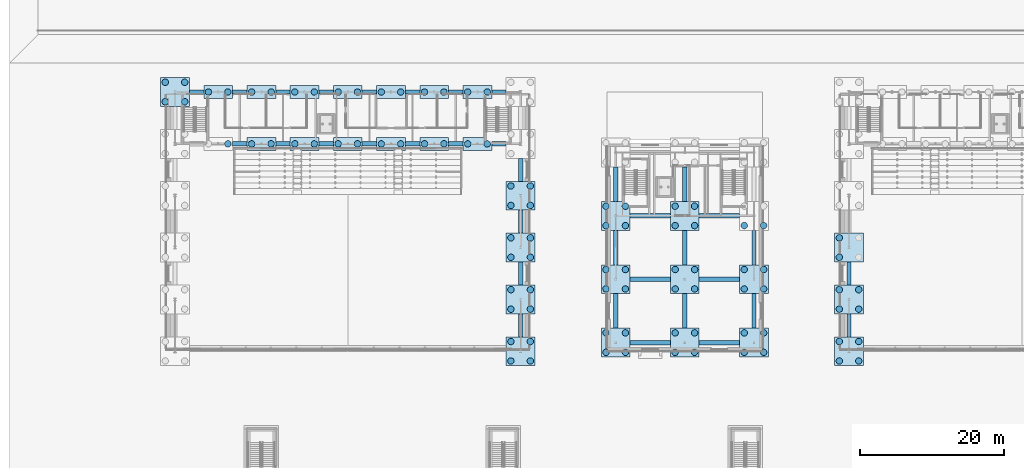
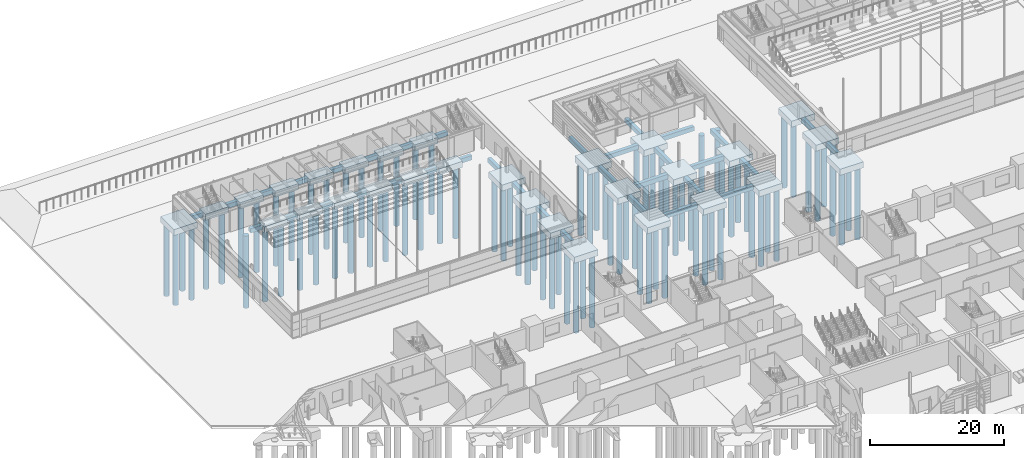
# One storey, part 5 of 139: 91 piles, 64 footings.
"""IFC4 building model written with IfcOpenShell, lengths in metres."""

from ifc_helpers import new_model, si_unit, direction, frame, origin, origin_2d, place, context, subcontext, project, spatial, polyline, rectangle, circle, outline, extrude, material, layer, layer_set, material_profile, profile_set, type_object, element, save


model = new_model("IFC4")

# Units and contexts
model_context = context("Model", 3, precision=1e-05, world=origin(), true_north=direction((0.0, 1.0)))
body_context = subcontext(model_context, "Body", "Model", "MODEL_VIEW")
ifc_project = project(units=[si_unit("LENGTHUNIT", "METRE"), si_unit("AREAUNIT", "SQUARE_METRE"), si_unit("VOLUMEUNIT", "CUBIC_METRE"), si_unit("PLANEANGLEUNIT", "RADIAN"), si_unit("MASSUNIT", "GRAM", prefix="KILO")], contexts=[model_context])

# Site, building, storey
site_placement = place(None, origin())
site = spatial("IfcSite", under=ifc_project, at=site_placement, CompositionType="ELEMENT")
building_placement = place(site_placement, origin())
building = spatial("IfcBuilding", under=site, at=building_placement, Name="Verrick Yard Athletic Hall", CompositionType="ELEMENT")
storey_placement = place(building_placement, origin())
storey = spatial("IfcBuildingStorey", under=building, at=storey_placement, Name="L00", CompositionType="ELEMENT", Elevation=0.0)

# Piles
ifc_material = material(Name="Concrete 35 MPa", Category="concrete")
ifc_material_profile_1 = material_profile(ifc_material, circle(Radius=0.449951171875, at=origin_2d()), Name="Bored pile 900")
ifc_profile_set_1 = profile_set([ifc_material_profile_1], Name="Concrete 35 MPa")
pile_type = type_object("IfcPileType", Name="HB bored pile 900", PredefinedType="BORED", material=ifc_profile_set_1)
for number, where, z_axis, x_axis, name in (
    (1, (120.25, 70.64990234375, -1.5), (0.0, 0.0, -1.0), (1.0, 0.0, 0.0), "HB-PC-HAW1-PL1"),
    (2, (122.949951171875, 70.64990234375, -1.5), (0.0, 0.0, -1.0), (1.0, 0.0, 0.0), "HB-PC-HAW1-PL2"),
    (3, (120.25, 73.35009765625, -1.5), (0.0, 0.0, -1.0), (1.0, 0.0, 0.0), "HB-PC-HAW1-PL3"),
    (4, (122.949951171875, 73.35009765625, -1.5), (0.0, 0.0, -1.0), (1.0, 0.0, 0.0), "HB-PC-HAW1-PL4"),
    (5, (120.25, 77.85009765625, -1.5), (0.0, 0.0, -1.0), (1.0, 0.0, 0.0), "HB-PC-HAW2-PL1"),
    (6, (122.949951171875, 77.85009765625, -1.5), (0.0, 0.0, -1.0), (1.0, 0.0, 0.0), "HB-PC-HAW2-PL2"),
    (7, (120.25, 80.550048828125, -1.5), (0.0, 0.0, -1.0), (1.0, 0.0, 0.0), "HB-PC-HAW2-PL3"),
    (8, (122.949951171875, 80.550048828125, -1.5), (0.0, 0.0, -1.0), (1.0, 0.0, 0.0), "HB-PC-HAW2-PL4"),
    (9, (120.25, 85.050048828125, -1.5), (0.0, 0.0, -1.0), (1.0, 0.0, 0.0), "HB-PC-HAW3-PL1"),
    (10, (120.25, 87.75, -1.5), (0.0, 0.0, -1.0), (1.0, 0.0, 0.0), "HB-PC-HAW3-PL3"),
    (11, (74.64990234375, 70.64990234375, -1.5), (0.0, 0.0, -1.0), (1.0, 0.0, 0.0), "HB-PC-HBE1-PL1"),
    (12, (77.35009765625, 70.64990234375, -1.5), (0.0, 0.0, -1.0), (1.0, 0.0, 0.0), "HB-PC-HBE1-PL2"),
    (13, (74.64990234375, 73.35009765625, -1.5), (0.0, 0.0, -1.0), (1.0, 0.0, 0.0), "HB-PC-HBE1-PL3"),
    (14, (77.35009765625, 73.35009765625, -1.5), (0.0, 0.0, -1.0), (1.0, 0.0, 0.0), "HB-PC-HBE1-PL4"),
    (15, (74.64990234375, 77.85009765625, -1.5), (0.0, 0.0, -1.0), (1.0, 0.0, 0.0), "HB-PC-HBE2-PL1"),
    (16, (77.35009765625, 77.85009765625, -1.5), (0.0, 0.0, -1.0), (1.0, 0.0, 0.0), "HB-PC-HBE2-PL2"),
    (17, (74.64990234375, 80.550048828125, -1.5), (0.0, 0.0, -1.0), (1.0, 0.0, 0.0), "HB-PC-HBE2-PL3"),
    (18, (77.35009765625, 80.550048828125, -1.5), (0.0, 0.0, -1.0), (1.0, 0.0, 0.0), "HB-PC-HBE2-PL4"),
    (19, (74.64990234375, 85.050048828125, -1.5), (0.0, 0.0, -1.0), (1.0, 0.0, 0.0), "HB-PC-HBE3-PL1"),
    (20, (77.35009765625, 85.050048828125, -1.5), (0.0, 0.0, -1.0), (1.0, 0.0, 0.0), "HB-PC-HBE3-PL2"),
    (21, (74.64990234375, 87.75, -1.5), (0.0, 0.0, -1.0), (1.0, 0.0, 0.0), "HB-PC-HBE3-PL3"),
    (22, (77.35009765625, 87.75, -1.5), (0.0, 0.0, -1.0), (1.0, 0.0, 0.0), "HB-PC-HBE3-PL4"),
    (23, (74.64990234375, 92.25, -1.5), (0.0, 0.0, -1.0), (1.0, 0.0, 0.0), "HB-PC-HBE4-PL1"),
    (24, (77.35009765625, 92.25, -1.5), (0.0, 0.0, -1.0), (1.0, 0.0, 0.0), "HB-PC-HBE4-PL2"),
    (25, (74.64990234375, 94.949951171875, -1.5), (0.0, 0.0, -1.0), (1.0, 0.0, 0.0), "HB-PC-HBE4-PL3"),
    (26, (77.35009765625, 94.949951171875, -1.5), (0.0, 0.0, -1.0), (1.0, 0.0, 0.0), "HB-PC-HBE4-PL4"),
    (27, (26.64990234375, 106.64990234375, -1.5), (0.0, 0.0, -1.0), (1.0, 0.0, 0.0), "HB-PC-HBW6-PL1"),
    (28, (29.35009765625, 106.64990234375, -1.5), (0.0, 0.0, -1.0), (1.0, 0.0, 0.0), "HB-PC-HBW6-PL2"),
    (29, (26.64990234375, 109.35009765625, -1.5), (0.0, 0.0, -1.0), (1.0, 0.0, 0.0), "HB-PC-HBW6-PL3"),
    (30, (29.35009765625, 109.35009765625, -1.5), (0.0, 0.0, -1.0), (1.0, 0.0, 0.0), "HB-PC-HBW6-PL4"),
    (31, (35.35009765625, 100.800048828125, -1.5), (0.0, 0.0, -1.0), (1.0, 0.0, 0.0), "HB-PC-B-B1S-PL2"),
    (32, (32.64990234375, 108.0, -1.5), (0.0, 0.0, -1.0), (1.0, 0.0, 0.0), "HB-PC-B-B1N-PL1"),
    (33, (35.35009765625, 108.0, -1.5), (0.0, 0.0, -1.0), (1.0, 0.0, 0.0), "HB-PC-B-B1N-PL2"),
    (34, (38.64990234375, 100.800048828125, -1.5), (0.0, 0.0, -1.0), (1.0, 0.0, 0.0), "HB-PC-B-B2S-PL1"),
    (35, (41.35009765625, 100.800048828125, -1.5), (0.0, 0.0, -1.0), (1.0, 0.0, 0.0), "HB-PC-B-B2S-PL2"),
    (36, (38.64990234375, 108.0, -1.5), (0.0, 0.0, -1.0), (1.0, 0.0, 0.0), "HB-PC-B-B2N-PL1"),
    (37, (41.35009765625, 108.0, -1.5), (0.0, 0.0, -1.0), (1.0, 0.0, 0.0), "HB-PC-B-B2N-PL2"),
    (38, (44.64990234375, 100.800048828125, -1.5), (0.0, 0.0, -1.0), (1.0, 0.0, 0.0), "HB-PC-B-B3S-PL1"),
    (39, (47.35009765625, 100.800048828125, -1.5), (0.0, 0.0, -1.0), (1.0, 0.0, 0.0), "HB-PC-B-B3S-PL2"),
    (40, (44.64990234375, 108.0, -1.5), (0.0, 0.0, -1.0), (1.0, 0.0, 0.0), "HB-PC-B-B3N-PL1"),
    (41, (47.35009765625, 108.0, -1.5), (0.0, 0.0, -1.0), (1.0, 0.0, 0.0), "HB-PC-B-B3N-PL2"),
    (42, (50.64990234375, 100.800048828125, -1.5), (0.0, 0.0, -1.0), (1.0, 0.0, 0.0), "HB-PC-B-B4S-PL1"),
    (43, (53.35009765625, 100.800048828125, -1.5), (0.0, 0.0, -1.0), (1.0, 0.0, 0.0), "HB-PC-B-B4S-PL2"),
    (44, (50.64990234375, 108.0, -1.5), (0.0, 0.0, -1.0), (1.0, 0.0, 0.0), "HB-PC-B-B4N-PL1"),
    (45, (53.35009765625, 108.0, -1.5), (0.0, 0.0, -1.0), (1.0, 0.0, 0.0), "HB-PC-B-B4N-PL2"),
    (46, (56.64990234375, 100.800048828125, -1.5), (0.0, 0.0, -1.0), (1.0, 0.0, 0.0), "HB-PC-B-B5S-PL1"),
    (47, (59.35009765625, 100.800048828125, -1.5), (0.0, 0.0, -1.0), (1.0, 0.0, 0.0), "HB-PC-B-B5S-PL2"),
    (48, (56.64990234375, 108.0, -1.5), (0.0, 0.0, -1.0), (1.0, 0.0, 0.0), "HB-PC-B-B5N-PL1"),
    (49, (59.35009765625, 108.0, -1.5), (0.0, 0.0, -1.0), (1.0, 0.0, 0.0), "HB-PC-B-B5N-PL2"),
    (50, (62.64990234375, 100.800048828125, -1.5), (0.0, 0.0, -1.0), (1.0, 0.0, 0.0), "HB-PC-B-B6S-PL1"),
    (51, (65.35009765625, 100.800048828125, -1.5), (0.0, 0.0, -1.0), (1.0, 0.0, 0.0), "HB-PC-B-B6S-PL2"),
    (52, (62.64990234375, 108.0, -1.5), (0.0, 0.0, -1.0), (1.0, 0.0, 0.0), "HB-PC-B-B6N-PL1"),
    (53, (65.35009765625, 108.0, -1.5), (0.0, 0.0, -1.0), (1.0, 0.0, 0.0), "HB-PC-B-B6N-PL2"),
    (54, (68.64990234375, 100.800048828125, -1.5), (0.0, 0.0, -1.0), (1.0, 0.0, 0.0), "HB-PC-B-B7S-PL1"),
    (55, (71.35009765625, 100.800048828125, -1.5), (0.0, 0.0, -1.0), (1.0, 0.0, 0.0), "HB-PC-B-B7S-PL2"),
    (56, (68.64990234375, 108.0, -1.5), (0.0, 0.0, -1.0), (1.0, 0.0, 0.0), "HB-PC-B-B7N-PL1"),
    (57, (71.35009765625, 108.0, -1.5), (0.0, 0.0, -1.0), (1.0, 0.0, 0.0), "HB-PC-B-B7N-PL2"),
    (58, (87.85009765625, 71.85009765625, -1.5), (0.0, 0.0, -1.0), (1.0, 0.0, 0.0), "HB-PC-C11-PL1"),
    (59, (90.550048828125, 71.85009765625, -1.5), (0.0, 0.0, -1.0), (1.0, 0.0, 0.0), "HB-PC-C11-PL2"),
    (60, (87.85009765625, 74.550048828125, -1.5), (0.0, 0.0, -1.0), (1.0, 0.0, 0.0), "HB-PC-C11-PL3"),
    (61, (90.550048828125, 74.550048828125, -1.5), (0.0, 0.0, -1.0), (1.0, 0.0, 0.0), "HB-PC-C11-PL4"),
    (62, (87.85009765625, 80.64990234375, -1.5), (0.0, 0.0, -1.0), (1.0, 0.0, 0.0), "HB-PC-C12-PL1"),
    (63, (90.550048828125, 80.64990234375, -1.5), (0.0, 0.0, -1.0), (1.0, 0.0, 0.0), "HB-PC-C12-PL2"),
    (64, (87.85009765625, 83.35009765625, -1.5), (0.0, 0.0, -1.0), (1.0, 0.0, 0.0), "HB-PC-C12-PL3"),
    (65, (90.550048828125, 83.35009765625, -1.5), (0.0, 0.0, -1.0), (1.0, 0.0, 0.0), "HB-PC-C12-PL4"),
    (66, (87.85009765625, 89.449951171875, -1.5), (0.0, 0.0, -1.0), (1.0, 0.0, 0.0), "HB-PC-C13-PL1"),
    (67, (90.550048828125, 89.449951171875, -1.5), (0.0, 0.0, -1.0), (1.0, 0.0, 0.0), "HB-PC-C13-PL2"),
    (68, (87.85009765625, 92.14990234375, -1.5), (0.0, 0.0, -1.0), (1.0, 0.0, 0.0), "HB-PC-C13-PL3"),
    (69, (90.550048828125, 92.14990234375, -1.5), (0.0, 0.0, -1.0), (1.0, 0.0, 0.0), "HB-PC-C13-PL4"),
    (70, (97.449951171875, 71.85009765625, -1.5), (0.0, 0.0, -1.0), (1.0, 0.0, 0.0), "HB-PC-C21-PL1"),
    (71, (100.14990234375, 71.85009765625, -1.5), (0.0, 0.0, -1.0), (1.0, 0.0, 0.0), "HB-PC-C21-PL2"),
    (72, (97.449951171875, 74.550048828125, -1.5), (0.0, 0.0, -1.0), (1.0, 0.0, 0.0), "HB-PC-C21-PL3"),
    (73, (100.14990234375, 74.550048828125, -1.5), (0.0, 0.0, -1.0), (1.0, 0.0, 0.0), "HB-PC-C21-PL4"),
    (74, (97.449951171875, 80.64990234375, -1.5), (0.0, 0.0, -1.0), (1.0, 0.0, 0.0), "HB-PC-C22-PL1"),
    (75, (100.14990234375, 80.64990234375, -1.5), (0.0, 0.0, -1.0), (1.0, 0.0, 0.0), "HB-PC-C22-PL2"),
    (76, (97.449951171875, 83.35009765625, -1.5), (0.0, 0.0, -1.0), (1.0, 0.0, 0.0), "HB-PC-C22-PL3"),
    (77, (100.14990234375, 83.35009765625, -1.5), (0.0, 0.0, -1.0), (1.0, 0.0, 0.0), "HB-PC-C22-PL4"),
    (78, (97.449951171875, 89.449951171875, -1.5), (0.0, 0.0, -1.0), (1.0, 0.0, 0.0), "HB-PC-C23-PL1"),
    (79, (100.14990234375, 89.449951171875, -1.5), (0.0, 0.0, -1.0), (1.0, 0.0, 0.0), "HB-PC-C23-PL2"),
    (80, (97.449951171875, 92.14990234375, -1.5), (0.0, 0.0, -1.0), (1.0, 0.0, 0.0), "HB-PC-C23-PL3"),
    (81, (100.14990234375, 92.14990234375, -1.5), (0.0, 0.0, -1.0), (1.0, 0.0, 0.0), "HB-PC-C23-PL4"),
    (82, (107.050048828125, 71.85009765625, -1.5), (0.0, 0.0, -1.0), (1.0, 0.0, 0.0), "HB-PC-C31-PL1"),
    (83, (109.75, 71.85009765625, -1.5), (0.0, 0.0, -1.0), (1.0, 0.0, 0.0), "HB-PC-C31-PL2"),
    (84, (107.050048828125, 74.550048828125, -1.5), (0.0, 0.0, -1.0), (1.0, 0.0, 0.0), "HB-PC-C31-PL3"),
    (85, (109.75, 74.550048828125, -1.5), (0.0, 0.0, -1.0), (1.0, 0.0, 0.0), "HB-PC-C31-PL4"),
    (86, (107.050048828125, 80.64990234375, -1.5), (0.0, 0.0, -1.0), (1.0, 0.0, 0.0), "HB-PC-C32-PL1"),
    (87, (109.75, 80.64990234375, -1.5), (0.0, 0.0, -1.0), (1.0, 0.0, 0.0), "HB-PC-C32-PL2"),
    (88, (107.050048828125, 83.35009765625, -1.5), (0.0, 0.0, -1.0), (1.0, 0.0, 0.0), "HB-PC-C32-PL3"),
    (89, (109.75, 83.35009765625, -1.5), (0.0, 0.0, -1.0), (1.0, 0.0, 0.0), "HB-PC-C32-PL4"),
    (90, (107.050048828125, 89.449951171875, -1.5), (0.0, 0.0, -1.0), (1.0, 0.0, 0.0), "HB-PC-C33-PL1"),
    (91, (109.75, 89.449951171875, -1.5), (0.0, 0.0, -1.0), (1.0, 0.0, 0.0), "HB-PC-C33-PL2"),
):
    element("IfcPile", number, at=place(storey_placement, frame(where, z_axis=z_axis, x_axis=x_axis)), inside=storey, type_object=pile_type, Name=name, PredefinedType="BORED", context=body_context, shape_type="SweptSolid", body=[
        extrude(circle(Radius=0.449951171875, at=origin_2d()), origin(), (0.0, 0.0, 1.0), 13.10009765625),
    ])

# Footings
ifc_material_profile_2 = material_profile(ifc_material, rectangle(XDim=0.60009765625, YDim=0.800048828125, at=origin_2d()), Name="Grade beam 600x800")
ifc_profile_set_2 = profile_set([ifc_material_profile_2], Name="Concrete 35 MPa")
footing_type_1 = type_object("IfcFootingType", Name="HB grade beam 600x800", PredefinedType="FOOTING_BEAM", material=ifc_profile_set_2)
for number, where, z_axis, x_axis, name in (
    (92, (121.60009765625, 74.0, -0.89990234375), (0.0, 1.0, 0.0), (-1.0, 0.0, 0.0), "HB-GB-A-WHAW1"),
    (93, (121.60009765625, 81.199951171875, -0.89990234375), (0.0, 1.0, 0.0), (-1.0, 0.0, 0.0), "HB-GB-A-WHAW2"),
    (94, (76.0, 74.0, -0.89990234375), (0.0, 1.0, 0.0), (-1.0, 0.0, 0.0), "HB-GB-B-EHBE1"),
    (95, (76.0, 81.199951171875, -0.89990234375), (0.0, 1.0, 0.0), (-1.0, 0.0, 0.0), "HB-GB-B-EHBE2"),
):
    element("IfcFooting", number, at=place(storey_placement, frame(where, z_axis=z_axis, x_axis=x_axis)), inside=storey, type_object=footing_type_1, Name=name, PredefinedType="FOOTING_BEAM", context=body_context, shape_type="SweptSolid", body=[
        extrude(rectangle(XDim=0.60009765625, YDim=0.800048828125, at=origin_2d()), origin(), (0.0, 0.0, 1.0), 3.199951171875),
    ])
footing_1_placement = place(storey_placement, frame((76.0, 88.39990234375, -0.89990234375), z_axis=(0.0, 1.0, 0.0), x_axis=(-1.0, 0.0, 0.0)))
element("IfcFooting", 96, at=footing_1_placement, inside=storey, type_object=footing_type_1, Name="HB-GB-B-EHBE3", PredefinedType="FOOTING_BEAM", context=body_context, shape_type="SweptSolid", body=[
    extrude(rectangle(XDim=0.60009765625, YDim=0.800048828125, at=origin_2d()), origin(), (0.0, 0.0, 1.0), 3.2001953125),
])
footing_2_placement = place(storey_placement, frame((76.0, 95.60009765625, -0.89990234375), z_axis=(0.0, 1.0, 0.0), x_axis=(-1.0, 0.0, 0.0)))
element("IfcFooting", 97, at=footing_2_placement, inside=storey, type_object=footing_type_1, Name="HB-GB-B-EHBE4", PredefinedType="FOOTING_BEAM", context=body_context, shape_type="SweptSolid", body=[
    extrude(rectangle(XDim=0.60009765625, YDim=0.800048828125, at=origin_2d()), origin(), (0.0, 0.0, 1.0), 3.199951171875),
])
for number, where, z_axis, x_axis, name in (
    (98, (36.0, 100.800048828125, -0.89990234375), (1.0, 0.0, 0.0), (0.0, 1.0, 0.0), "HB-GB-B-R1-2"),
    (99, (42.0, 100.800048828125, -0.89990234375), (1.0, 0.0, 0.0), (0.0, 1.0, 0.0), "HB-GB-B-R1-3"),
    (100, (48.0, 100.800048828125, -0.89990234375), (1.0, 0.0, 0.0), (0.0, 1.0, 0.0), "HB-GB-B-R1-4"),
    (101, (54.0, 100.800048828125, -0.89990234375), (1.0, 0.0, 0.0), (0.0, 1.0, 0.0), "HB-GB-B-R1-5"),
    (102, (60.0, 100.800048828125, -0.89990234375), (1.0, 0.0, 0.0), (0.0, 1.0, 0.0), "HB-GB-B-R1-6"),
    (103, (66.0, 100.800048828125, -0.89990234375), (1.0, 0.0, 0.0), (0.0, 1.0, 0.0), "HB-GB-B-R1-7"),
    (104, (72.0, 100.800048828125, -0.89990234375), (1.0, 0.0, 0.0), (0.0, 1.0, 0.0), "HB-GB-B-R1-8"),
    (105, (30.0, 108.0, -0.89990234375), (1.0, 0.0, 0.0), (0.0, 1.0, 0.0), "HB-GB-B-R2-1"),
    (106, (36.0, 108.0, -0.89990234375), (1.0, 0.0, 0.0), (0.0, 1.0, 0.0), "HB-GB-B-R2-2"),
    (107, (42.0, 108.0, -0.89990234375), (1.0, 0.0, 0.0), (0.0, 1.0, 0.0), "HB-GB-B-R2-3"),
    (108, (48.0, 108.0, -0.89990234375), (1.0, 0.0, 0.0), (0.0, 1.0, 0.0), "HB-GB-B-R2-4"),
    (109, (54.0, 108.0, -0.89990234375), (1.0, 0.0, 0.0), (0.0, 1.0, 0.0), "HB-GB-B-R2-5"),
    (110, (60.0, 108.0, -0.89990234375), (1.0, 0.0, 0.0), (0.0, 1.0, 0.0), "HB-GB-B-R2-6"),
    (111, (66.0, 108.0, -0.89990234375), (1.0, 0.0, 0.0), (0.0, 1.0, 0.0), "HB-GB-B-R2-7"),
    (112, (72.0, 108.0, -0.89990234375), (1.0, 0.0, 0.0), (0.0, 1.0, 0.0), "HB-GB-B-R2-8"),
):
    element("IfcFooting", number, at=place(storey_placement, frame(where, z_axis=z_axis, x_axis=x_axis)), inside=storey, type_object=footing_type_1, Name=name, PredefinedType="FOOTING_BEAM", context=body_context, shape_type="SweptSolid", body=[
        extrude(rectangle(XDim=0.60009765625, YDim=0.800048828125, at=origin_2d()), origin(), (0.0, 0.0, 1.0), 2.0),
    ])
footing_3_placement = place(storey_placement, frame((91.199951171875, 73.199951171875, -0.89990234375), z_axis=(1.0, 0.0, 0.0), x_axis=(0.0, 1.0, 0.0)))
element("IfcFooting", 113, at=footing_3_placement, inside=storey, type_object=footing_type_1, Name="HB-GB-C-X1", PredefinedType="FOOTING_BEAM", context=body_context, shape_type="SweptSolid", body=[
    extrude(rectangle(XDim=0.60009765625, YDim=0.800048828125, at=origin_2d()), origin(), (0.0, 0.0, 1.0), 5.60009765625),
])
footing_4_placement = place(storey_placement, frame((100.800048828125, 73.199951171875, -0.89990234375), z_axis=(1.0, 0.0, 0.0), x_axis=(0.0, 1.0, 0.0)))
element("IfcFooting", 114, at=footing_4_placement, inside=storey, type_object=footing_type_1, Name="HB-GB-C-X2", PredefinedType="FOOTING_BEAM", context=body_context, shape_type="SweptSolid", body=[
    extrude(rectangle(XDim=0.60009765625, YDim=0.800048828125, at=origin_2d()), origin(), (0.0, 0.0, 1.0), 5.599853515625),
])
footing_5_placement = place(storey_placement, frame((91.199951171875, 82.0, -0.89990234375), z_axis=(1.0, 0.0, 0.0), x_axis=(0.0, 1.0, 0.0)))
element("IfcFooting", 115, at=footing_5_placement, inside=storey, type_object=footing_type_1, Name="HB-GB-C-X3", PredefinedType="FOOTING_BEAM", context=body_context, shape_type="SweptSolid", body=[
    extrude(rectangle(XDim=0.60009765625, YDim=0.800048828125, at=origin_2d()), origin(), (0.0, 0.0, 1.0), 5.60009765625),
])
footing_6_placement = place(storey_placement, frame((100.800048828125, 82.0, -0.89990234375), z_axis=(1.0, 0.0, 0.0), x_axis=(0.0, 1.0, 0.0)))
element("IfcFooting", 116, at=footing_6_placement, inside=storey, type_object=footing_type_1, Name="HB-GB-C-X4", PredefinedType="FOOTING_BEAM", context=body_context, shape_type="SweptSolid", body=[
    extrude(rectangle(XDim=0.60009765625, YDim=0.800048828125, at=origin_2d()), origin(), (0.0, 0.0, 1.0), 5.599853515625),
])
footing_7_placement = place(storey_placement, frame((91.199951171875, 90.800048828125, -0.89990234375), z_axis=(1.0, 0.0, 0.0), x_axis=(0.0, 1.0, 0.0)))
element("IfcFooting", 117, at=footing_7_placement, inside=storey, type_object=footing_type_1, Name="HB-GB-C-X5", PredefinedType="FOOTING_BEAM", context=body_context, shape_type="SweptSolid", body=[
    extrude(rectangle(XDim=0.60009765625, YDim=0.800048828125, at=origin_2d()), origin(), (0.0, 0.0, 1.0), 5.60009765625),
])
footing_8_placement = place(storey_placement, frame((100.800048828125, 90.800048828125, -0.89990234375), z_axis=(1.0, 0.0, 0.0), x_axis=(0.0, 1.0, 0.0)))
element("IfcFooting", 118, at=footing_8_placement, inside=storey, type_object=footing_type_1, Name="HB-GB-C-X6", PredefinedType="FOOTING_BEAM", context=body_context, shape_type="SweptSolid", body=[
    extrude(rectangle(XDim=0.60009765625, YDim=0.800048828125, at=origin_2d()), origin(), (0.0, 0.0, 1.0), 5.599853515625),
])
for number, where, z_axis, x_axis, name in (
    (119, (89.199951171875, 75.199951171875, -0.89990234375), (0.0, 1.0, 0.0), (-1.0, 0.0, 0.0), "HB-GB-C-Y9"),
    (120, (89.199951171875, 84.0, -0.89990234375), (0.0, 1.0, 0.0), (-1.0, 0.0, 0.0), "HB-GB-C-Y10"),
    (121, (89.199951171875, 92.800048828125, -0.89990234375), (0.0, 1.0, 0.0), (-1.0, 0.0, 0.0), "HB-GB-C-Y11"),
    (122, (98.800048828125, 75.199951171875, -0.89990234375), (0.0, 1.0, 0.0), (-1.0, 0.0, 0.0), "HB-GB-C-Y12"),
    (123, (98.800048828125, 84.0, -0.89990234375), (0.0, 1.0, 0.0), (-1.0, 0.0, 0.0), "HB-GB-C-Y13"),
    (124, (98.800048828125, 92.800048828125, -0.89990234375), (0.0, 1.0, 0.0), (-1.0, 0.0, 0.0), "HB-GB-C-Y14"),
    (125, (108.39990234375, 75.199951171875, -0.89990234375), (0.0, 1.0, 0.0), (-1.0, 0.0, 0.0), "HB-GB-C-Y15"),
    (126, (108.39990234375, 84.0, -0.89990234375), (0.0, 1.0, 0.0), (-1.0, 0.0, 0.0), "HB-GB-C-Y16"),
):
    element("IfcFooting", number, at=place(storey_placement, frame(where, z_axis=z_axis, x_axis=x_axis)), inside=storey, type_object=footing_type_1, Name=name, PredefinedType="FOOTING_BEAM", context=body_context, shape_type="SweptSolid", body=[
        extrude(rectangle(XDim=0.60009765625, YDim=0.800048828125, at=origin_2d()), origin(), (0.0, 0.0, 1.0), 4.800048828125),
    ])
ifc_layer_1 = layer(ifc_material, 1.10009765625)
ifc_layer_set_1 = layer_set([ifc_layer_1], Name="HB pile cap four piles")
footing_type_2 = type_object("IfcFootingType", Name="HB pile cap four piles", PredefinedType="PILE_CAP", material=ifc_layer_set_1)
footing_9_placement = place(storey_placement, frame((0.0, 0.0, -1.60009765625)))
element("IfcFooting", 127, at=footing_9_placement, inside=storey, type_object=footing_type_2, Name="HB-PC-HAW1", PredefinedType="PILE_CAP", context=body_context, shape_type="SweptSolid", body=[
    extrude(outline(polyline([(119.60009765625, 70.0), (123.60009765625, 70.0), (123.60009765625, 74.0), (119.60009765625, 74.0), (119.60009765625, 70.0)])), origin(), (0.0, 0.0, 1.0), 1.10009765625),
])
footing_10_placement = place(storey_placement, frame((0.0, 0.0, -1.60009765625)))
element("IfcFooting", 128, at=footing_10_placement, inside=storey, type_object=footing_type_2, Name="HB-PC-HAW2", PredefinedType="PILE_CAP", context=body_context, shape_type="SweptSolid", body=[
    extrude(outline(polyline([(119.60009765625, 77.199951171875), (123.60009765625, 77.199951171875), (123.60009765625, 81.199951171875), (119.60009765625, 81.199951171875), (119.60009765625, 77.199951171875)])), origin(), (0.0, 0.0, 1.0), 1.10009765625),
])
footing_11_placement = place(storey_placement, frame((0.0, 0.0, -1.60009765625)))
element("IfcFooting", 129, at=footing_11_placement, inside=storey, type_object=footing_type_2, Name="HB-PC-HAW3", PredefinedType="PILE_CAP", context=body_context, shape_type="SweptSolid", body=[
    extrude(outline(polyline([(119.60009765625, 84.39990234375), (123.60009765625, 84.39990234375), (123.60009765625, 88.39990234375), (119.60009765625, 88.39990234375), (119.60009765625, 84.39990234375)])), origin(), (0.0, 0.0, 1.0), 1.10009765625),
])
footing_12_placement = place(storey_placement, frame((0.0, 0.0, -1.60009765625)))
element("IfcFooting", 130, at=footing_12_placement, inside=storey, type_object=footing_type_2, Name="HB-PC-HBE1", PredefinedType="PILE_CAP", context=body_context, shape_type="SweptSolid", body=[
    extrude(outline(polyline([(74.0, 70.0), (78.0, 70.0), (78.0, 74.0), (74.0, 74.0), (74.0, 70.0)])), origin(), (0.0, 0.0, 1.0), 1.10009765625),
])
footing_13_placement = place(storey_placement, frame((0.0, 0.0, -1.60009765625)))
element("IfcFooting", 131, at=footing_13_placement, inside=storey, type_object=footing_type_2, Name="HB-PC-HBE2", PredefinedType="PILE_CAP", context=body_context, shape_type="SweptSolid", body=[
    extrude(outline(polyline([(74.0, 77.199951171875), (78.0, 77.199951171875), (78.0, 81.199951171875), (74.0, 81.199951171875), (74.0, 77.199951171875)])), origin(), (0.0, 0.0, 1.0), 1.10009765625),
])
footing_14_placement = place(storey_placement, frame((0.0, 0.0, -1.60009765625)))
element("IfcFooting", 132, at=footing_14_placement, inside=storey, type_object=footing_type_2, Name="HB-PC-HBE3", PredefinedType="PILE_CAP", context=body_context, shape_type="SweptSolid", body=[
    extrude(outline(polyline([(74.0, 84.39990234375), (78.0, 84.39990234375), (78.0, 88.39990234375), (74.0, 88.39990234375), (74.0, 84.39990234375)])), origin(), (0.0, 0.0, 1.0), 1.10009765625),
])
footing_15_placement = place(storey_placement, frame((0.0, 0.0, -1.60009765625)))
element("IfcFooting", 133, at=footing_15_placement, inside=storey, type_object=footing_type_2, Name="HB-PC-HBE4", PredefinedType="PILE_CAP", context=body_context, shape_type="SweptSolid", body=[
    extrude(outline(polyline([(74.0, 91.60009765625), (78.0, 91.60009765625), (78.0, 95.60009765625), (74.0, 95.60009765625), (74.0, 91.60009765625)])), origin(), (0.0, 0.0, 1.0), 1.10009765625),
])
footing_16_placement = place(storey_placement, frame((0.0, 0.0, -1.60009765625)))
element("IfcFooting", 134, at=footing_16_placement, inside=storey, type_object=footing_type_2, Name="HB-PC-HBW6", PredefinedType="PILE_CAP", context=body_context, shape_type="SweptSolid", body=[
    extrude(outline(polyline([(26.0, 106.0), (30.0, 106.0), (30.0, 110.0), (26.0, 110.0), (26.0, 106.0)])), origin(), (0.0, 0.0, 1.0), 1.10009765625),
])
footing_17_placement = place(storey_placement, frame((0.0, 0.0, -1.60009765625)))
element("IfcFooting", 135, at=footing_17_placement, inside=storey, type_object=footing_type_2, Name="HB-PC-C11", PredefinedType="PILE_CAP", context=body_context, shape_type="SweptSolid", body=[
    extrude(outline(polyline([(87.199951171875, 71.199951171875), (91.199951171875, 71.199951171875), (91.199951171875, 75.199951171875), (87.199951171875, 75.199951171875), (87.199951171875, 71.199951171875)])), origin(), (0.0, 0.0, 1.0), 1.10009765625),
])
footing_18_placement = place(storey_placement, frame((0.0, 0.0, -1.60009765625)))
element("IfcFooting", 136, at=footing_18_placement, inside=storey, type_object=footing_type_2, Name="HB-PC-C12", PredefinedType="PILE_CAP", context=body_context, shape_type="SweptSolid", body=[
    extrude(outline(polyline([(87.199951171875, 80.0), (91.199951171875, 80.0), (91.199951171875, 84.0), (87.199951171875, 84.0), (87.199951171875, 80.0)])), origin(), (0.0, 0.0, 1.0), 1.10009765625),
])
footing_19_placement = place(storey_placement, frame((0.0, 0.0, -1.60009765625)))
element("IfcFooting", 137, at=footing_19_placement, inside=storey, type_object=footing_type_2, Name="HB-PC-C13", PredefinedType="PILE_CAP", context=body_context, shape_type="SweptSolid", body=[
    extrude(outline(polyline([(87.199951171875, 88.800048828125), (91.199951171875, 88.800048828125), (91.199951171875, 92.800048828125), (87.199951171875, 92.800048828125), (87.199951171875, 88.800048828125)])), origin(), (0.0, 0.0, 1.0), 1.10009765625),
])
footing_20_placement = place(storey_placement, frame((0.0, 0.0, -1.60009765625)))
element("IfcFooting", 138, at=footing_20_placement, inside=storey, type_object=footing_type_2, Name="HB-PC-C21", PredefinedType="PILE_CAP", context=body_context, shape_type="SweptSolid", body=[
    extrude(outline(polyline([(96.800048828125, 71.199951171875), (100.800048828125, 71.199951171875), (100.800048828125, 75.199951171875), (96.800048828125, 75.199951171875), (96.800048828125, 71.199951171875)])), origin(), (0.0, 0.0, 1.0), 1.10009765625),
])
footing_21_placement = place(storey_placement, frame((0.0, 0.0, -1.60009765625)))
element("IfcFooting", 139, at=footing_21_placement, inside=storey, type_object=footing_type_2, Name="HB-PC-C22", PredefinedType="PILE_CAP", context=body_context, shape_type="SweptSolid", body=[
    extrude(outline(polyline([(96.800048828125, 80.0), (100.800048828125, 80.0), (100.800048828125, 84.0), (96.800048828125, 84.0), (96.800048828125, 80.0)])), origin(), (0.0, 0.0, 1.0), 1.10009765625),
])
footing_22_placement = place(storey_placement, frame((0.0, 0.0, -1.60009765625)))
element("IfcFooting", 140, at=footing_22_placement, inside=storey, type_object=footing_type_2, Name="HB-PC-C23", PredefinedType="PILE_CAP", context=body_context, shape_type="SweptSolid", body=[
    extrude(outline(polyline([(96.800048828125, 88.800048828125), (100.800048828125, 88.800048828125), (100.800048828125, 92.800048828125), (96.800048828125, 92.800048828125), (96.800048828125, 88.800048828125)])), origin(), (0.0, 0.0, 1.0), 1.10009765625),
])
footing_23_placement = place(storey_placement, frame((0.0, 0.0, -1.60009765625)))
element("IfcFooting", 141, at=footing_23_placement, inside=storey, type_object=footing_type_2, Name="HB-PC-C31", PredefinedType="PILE_CAP", context=body_context, shape_type="SweptSolid", body=[
    extrude(outline(polyline([(106.39990234375, 71.199951171875), (110.39990234375, 71.199951171875), (110.39990234375, 75.199951171875), (106.39990234375, 75.199951171875), (106.39990234375, 71.199951171875)])), origin(), (0.0, 0.0, 1.0), 1.10009765625),
])
footing_24_placement = place(storey_placement, frame((0.0, 0.0, -1.60009765625)))
element("IfcFooting", 142, at=footing_24_placement, inside=storey, type_object=footing_type_2, Name="HB-PC-C32", PredefinedType="PILE_CAP", context=body_context, shape_type="SweptSolid", body=[
    extrude(outline(polyline([(106.39990234375, 80.0), (110.39990234375, 80.0), (110.39990234375, 84.0), (106.39990234375, 84.0), (106.39990234375, 80.0)])), origin(), (0.0, 0.0, 1.0), 1.10009765625),
])
ifc_layer_2 = layer(ifc_material, 1.10009765625)
ifc_layer_set_2 = layer_set([ifc_layer_2], Name="HB pile cap two piles")
footing_type_3 = type_object("IfcFootingType", Name="HB pile cap two piles", PredefinedType="PILE_CAP", material=ifc_layer_set_2)
footing_25_placement = place(storey_placement, frame((0.0, 0.0, -1.60009765625)))
element("IfcFooting", 143, at=footing_25_placement, inside=storey, type_object=footing_type_3, Name="HB-PC-B-B1N", PredefinedType="PILE_CAP", context=body_context, shape_type="SweptSolid", body=[
    extrude(outline(polyline([(32.0, 107.10009765625), (36.0, 107.10009765625), (36.0, 108.89990234375), (32.0, 108.89990234375), (32.0, 107.10009765625)])), origin(), (0.0, 0.0, 1.0), 1.10009765625),
])
footing_26_placement = place(storey_placement, frame((0.0, 0.0, -1.60009765625)))
element("IfcFooting", 144, at=footing_26_placement, inside=storey, type_object=footing_type_3, Name="HB-PC-B-B2S", PredefinedType="PILE_CAP", context=body_context, shape_type="SweptSolid", body=[
    extrude(outline(polyline([(38.0, 99.89990234375), (42.0, 99.89990234375), (42.0, 101.699951171875), (38.0, 101.699951171875), (38.0, 99.89990234375)])), origin(), (0.0, 0.0, 1.0), 1.10009765625),
])
footing_27_placement = place(storey_placement, frame((0.0, 0.0, -1.60009765625)))
element("IfcFooting", 145, at=footing_27_placement, inside=storey, type_object=footing_type_3, Name="HB-PC-B-B2N", PredefinedType="PILE_CAP", context=body_context, shape_type="SweptSolid", body=[
    extrude(outline(polyline([(38.0, 107.10009765625), (42.0, 107.10009765625), (42.0, 108.89990234375), (38.0, 108.89990234375), (38.0, 107.10009765625)])), origin(), (0.0, 0.0, 1.0), 1.10009765625),
])
footing_28_placement = place(storey_placement, frame((0.0, 0.0, -1.60009765625)))
element("IfcFooting", 146, at=footing_28_placement, inside=storey, type_object=footing_type_3, Name="HB-PC-B-B3S", PredefinedType="PILE_CAP", context=body_context, shape_type="SweptSolid", body=[
    extrude(outline(polyline([(44.0, 99.89990234375), (48.0, 99.89990234375), (48.0, 101.699951171875), (44.0, 101.699951171875), (44.0, 99.89990234375)])), origin(), (0.0, 0.0, 1.0), 1.10009765625),
])
footing_29_placement = place(storey_placement, frame((0.0, 0.0, -1.60009765625)))
element("IfcFooting", 147, at=footing_29_placement, inside=storey, type_object=footing_type_3, Name="HB-PC-B-B3N", PredefinedType="PILE_CAP", context=body_context, shape_type="SweptSolid", body=[
    extrude(outline(polyline([(44.0, 107.10009765625), (48.0, 107.10009765625), (48.0, 108.89990234375), (44.0, 108.89990234375), (44.0, 107.10009765625)])), origin(), (0.0, 0.0, 1.0), 1.10009765625),
])
footing_30_placement = place(storey_placement, frame((0.0, 0.0, -1.60009765625)))
element("IfcFooting", 148, at=footing_30_placement, inside=storey, type_object=footing_type_3, Name="HB-PC-B-B4S", PredefinedType="PILE_CAP", context=body_context, shape_type="SweptSolid", body=[
    extrude(outline(polyline([(50.0, 99.89990234375), (54.0, 99.89990234375), (54.0, 101.699951171875), (50.0, 101.699951171875), (50.0, 99.89990234375)])), origin(), (0.0, 0.0, 1.0), 1.10009765625),
])
footing_31_placement = place(storey_placement, frame((0.0, 0.0, -1.60009765625)))
element("IfcFooting", 149, at=footing_31_placement, inside=storey, type_object=footing_type_3, Name="HB-PC-B-B4N", PredefinedType="PILE_CAP", context=body_context, shape_type="SweptSolid", body=[
    extrude(outline(polyline([(50.0, 107.10009765625), (54.0, 107.10009765625), (54.0, 108.89990234375), (50.0, 108.89990234375), (50.0, 107.10009765625)])), origin(), (0.0, 0.0, 1.0), 1.10009765625),
])
footing_32_placement = place(storey_placement, frame((0.0, 0.0, -1.60009765625)))
element("IfcFooting", 150, at=footing_32_placement, inside=storey, type_object=footing_type_3, Name="HB-PC-B-B5S", PredefinedType="PILE_CAP", context=body_context, shape_type="SweptSolid", body=[
    extrude(outline(polyline([(56.0, 99.89990234375), (60.0, 99.89990234375), (60.0, 101.699951171875), (56.0, 101.699951171875), (56.0, 99.89990234375)])), origin(), (0.0, 0.0, 1.0), 1.10009765625),
])
footing_33_placement = place(storey_placement, frame((0.0, 0.0, -1.60009765625)))
element("IfcFooting", 151, at=footing_33_placement, inside=storey, type_object=footing_type_3, Name="HB-PC-B-B5N", PredefinedType="PILE_CAP", context=body_context, shape_type="SweptSolid", body=[
    extrude(outline(polyline([(56.0, 107.10009765625), (60.0, 107.10009765625), (60.0, 108.89990234375), (56.0, 108.89990234375), (56.0, 107.10009765625)])), origin(), (0.0, 0.0, 1.0), 1.10009765625),
])
footing_34_placement = place(storey_placement, frame((0.0, 0.0, -1.60009765625)))
element("IfcFooting", 152, at=footing_34_placement, inside=storey, type_object=footing_type_3, Name="HB-PC-B-B6S", PredefinedType="PILE_CAP", context=body_context, shape_type="SweptSolid", body=[
    extrude(outline(polyline([(62.0, 99.89990234375), (66.0, 99.89990234375), (66.0, 101.699951171875), (62.0, 101.699951171875), (62.0, 99.89990234375)])), origin(), (0.0, 0.0, 1.0), 1.10009765625),
])
footing_35_placement = place(storey_placement, frame((0.0, 0.0, -1.60009765625)))
element("IfcFooting", 153, at=footing_35_placement, inside=storey, type_object=footing_type_3, Name="HB-PC-B-B6N", PredefinedType="PILE_CAP", context=body_context, shape_type="SweptSolid", body=[
    extrude(outline(polyline([(62.0, 107.10009765625), (66.0, 107.10009765625), (66.0, 108.89990234375), (62.0, 108.89990234375), (62.0, 107.10009765625)])), origin(), (0.0, 0.0, 1.0), 1.10009765625),
])
footing_36_placement = place(storey_placement, frame((0.0, 0.0, -1.60009765625)))
element("IfcFooting", 154, at=footing_36_placement, inside=storey, type_object=footing_type_3, Name="HB-PC-B-B7S", PredefinedType="PILE_CAP", context=body_context, shape_type="SweptSolid", body=[
    extrude(outline(polyline([(68.0, 99.89990234375), (72.0, 99.89990234375), (72.0, 101.699951171875), (68.0, 101.699951171875), (68.0, 99.89990234375)])), origin(), (0.0, 0.0, 1.0), 1.10009765625),
])
footing_37_placement = place(storey_placement, frame((0.0, 0.0, -1.60009765625)))
element("IfcFooting", 155, at=footing_37_placement, inside=storey, type_object=footing_type_3, Name="HB-PC-B-B7N", PredefinedType="PILE_CAP", context=body_context, shape_type="SweptSolid", body=[
    extrude(outline(polyline([(68.0, 107.10009765625), (72.0, 107.10009765625), (72.0, 108.89990234375), (68.0, 108.89990234375), (68.0, 107.10009765625)])), origin(), (0.0, 0.0, 1.0), 1.10009765625),
])

save(model, "model.ifc")
